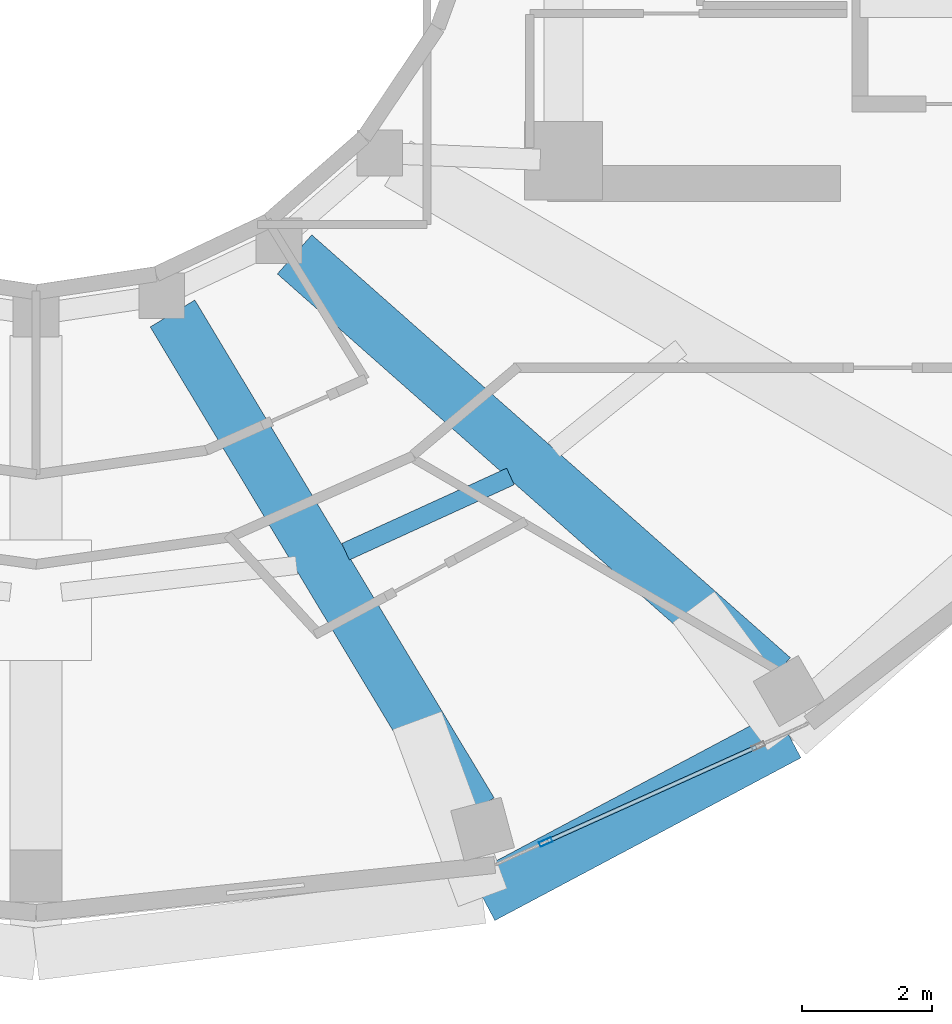
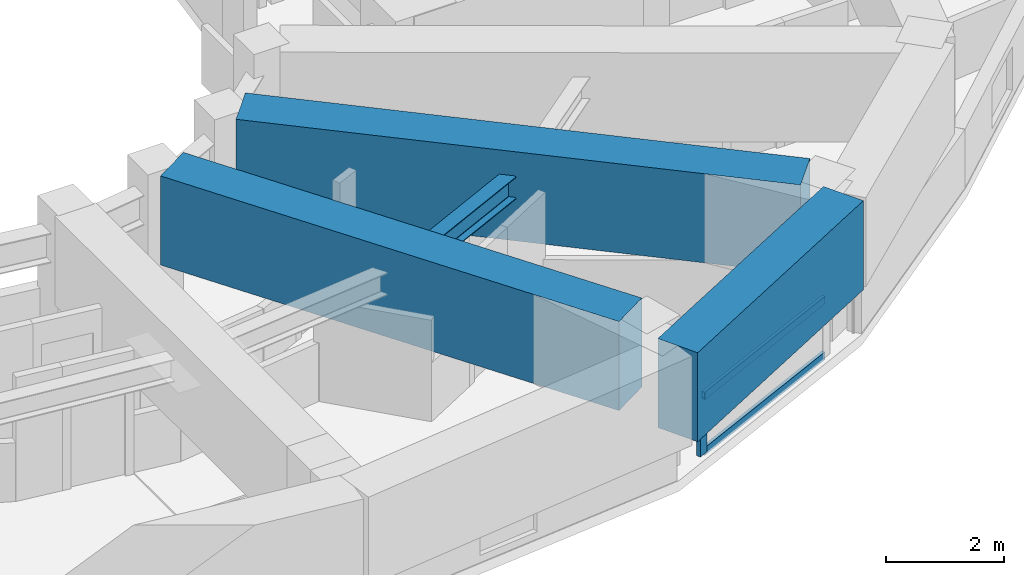
# One storey, part 4 of 20: 4 beams, 3 members, 1 element without a shape of its own.
"""IFC4 building model written with IfcOpenShell, lengths in metres."""

from ifc_helpers import new_model, si_unit, direction, frame, origin, origin_2d, place, context, subcontext, project, spatial, rectangle, hollow_rectangle, i_section, extrude, material, layer, layer_set, material_profile, profile_set, type_object, element, aggregate, save


model = new_model("IFC4")

# Units and contexts
model_context = context("Model", 3, precision=1e-05, world=origin(), true_north=direction((0.0, 1.0)))
body_context = subcontext(model_context, "Body", "Model", "MODEL_VIEW")
ifc_project = project(units=[si_unit("LENGTHUNIT", "METRE"), si_unit("AREAUNIT", "SQUARE_METRE"), si_unit("VOLUMEUNIT", "CUBIC_METRE"), si_unit("PLANEANGLEUNIT", "RADIAN"), si_unit("MASSUNIT", "GRAM", prefix="KILO")], contexts=[model_context])

# Site, building, storey
site_placement = place(None, origin())
site = spatial("IfcSite", under=ifc_project, at=site_placement, CompositionType="ELEMENT")
building_placement = place(site_placement, origin())
building = spatial("IfcBuilding", under=site, at=building_placement, Name="Solvane Sanctuary Tower", CompositionType="ELEMENT")
storey_placement = place(building_placement, frame((0.0, 0.0, 217.10009765625)))
storey = spatial("IfcBuildingStorey", under=building, at=storey_placement, Name="L66", CompositionType="ELEMENT", Elevation=217.10009765625)

# Beams
ifc_material_1 = material(Name="Steel ASTM A992 Grade 50", Category="steel")
ifc_material_profile_1 = material_profile(ifc_material_1, i_section(OverallWidth=0.280029296875, OverallDepth=0.462890625, WebThickness=0.0107421875, FlangeThickness=0.017333984375, FilletRadius=0.013916015625, at=origin_2d()), Name="W18X76")
ifc_profile_set_1 = profile_set([ifc_material_profile_1], Name="Steel ASTM A992 Grade 50")
beam_type_1 = type_object("IfcBeamType", Name="Beam B-SEC-JOIST W18X76", PredefinedType="JOIST", material=ifc_profile_set_1)
beam_1_placement = place(storey_placement, frame((36.752685546875, 10.897216796875, 2.366455078125), z_axis=(0.909749265658, 0.415158130879, 0.0), x_axis=(-0.415158130879, 0.909749265658, 0.0)))
element("IfcBeam", 1, at=beam_1_placement, inside=storey, type_object=beam_type_1, Name="L66 Secondary Circumferential Joist 12-13", PredefinedType="JOIST", context=body_context, shape_type="SweptSolid", body=[
    extrude(i_section(OverallWidth=0.280029296875, OverallDepth=0.462890625, WebThickness=0.0107421875, FlangeThickness=0.017333984375, FilletRadius=0.013916015625, at=origin_2d()), origin(), (0.0, 0.0, 1.0), 2.781494140625),
])
ifc_material_2 = material(Name="Concrete C70/85", Category="concrete")
ifc_material_profile_2 = material_profile(ifc_material_2, rectangle(XDim=0.800048828125, YDim=1.85009765625, at=origin_2d()), Name="RC800X1850")
ifc_profile_set_2 = profile_set([ifc_material_profile_2], Name="Concrete C70/85")
beam_type_2 = type_object("IfcBeamType", Name="Beam B-XFER-BLK RC800X1850", PredefinedType="BEAM", material=ifc_profile_set_2)
beam_2_placement = place(storey_placement, frame((34.095703125, 14.55419921875, 2.1748046875), z_axis=(0.515336980031, -0.856987629439, 0.0), x_axis=(0.856987629439, 0.515336980031, 0.0)))
element("IfcBeam", 2, at=beam_2_placement, inside=storey, type_object=beam_type_2, Name="L66 Block-Shift Radial Transfer Girder 12A", PredefinedType="BEAM", context=body_context, shape_type="SweptSolid", body=[
    extrude(rectangle(XDim=0.800048828125, YDim=1.85009765625, at=origin_2d()), origin(), (0.0, 0.0, 1.0), 8.91748046875),
])
beam_3_placement = place(storey_placement, frame((35.9697265625, 15.46142578125, 2.1748046875), z_axis=(0.749347766597, -0.662176656713, 0.0), x_axis=(0.662176656713, 0.749347766597, 0.0)))
element("IfcBeam", 3, at=beam_3_placement, inside=storey, type_object=beam_type_2, Name="L66 Block-Shift Radial Transfer Girder 13A", PredefinedType="BEAM", context=body_context, shape_type="SweptSolid", body=[
    extrude(rectangle(XDim=0.800048828125, YDim=1.85009765625, at=origin_2d()), origin(), (0.0, 0.0, 1.0), 9.802490234375),
])
beam_4_placement = place(storey_placement, frame((38.856201171875, 5.588623046875, 2.1748046875), z_axis=(0.883020065947, 0.469335235343, 0.0), x_axis=(-0.469335235343, 0.883020065947, 0.0)))
element("IfcBeam", 4, at=beam_4_placement, inside=storey, type_object=beam_type_2, Name="L66 Perimeter Step Transfer Ring NTC12-NTC13", PredefinedType="BEAM", context=body_context, shape_type="SweptSolid", body=[
    extrude(rectangle(XDim=0.800048828125, YDim=1.85009765625, at=origin_2d()), origin(), (0.0, 0.0, 1.0), 5.321533203125),
])

# Curtain wall, members
ifc_material_3 = material(Name="Anodised Aluminium 6063-T6", Category="aluminium")
ifc_layer = layer(ifc_material_3, 0.18994140625, Name="Anodised Aluminium 6063-T6")
ifc_layer_set = layer_set([ifc_layer], Name="Anodised Aluminium 6063-T6")
curtain_wall_type = type_object("IfcCurtainWallType", Name="Curtain Wall CW-OPER", PredefinedType="NOTDEFINED", material=ifc_layer_set)
curtain_wall_placement = place(storey_placement, origin())
curtain_wall = element("IfcCurtainWall", 5, at=curtain_wall_placement, inside=storey, type_object=curtain_wall_type, Name="L66 CW-OPER Facade Run 19", PredefinedType="NOTDEFINED")
ifc_material_profile_3 = material_profile(ifc_material_3, hollow_rectangle(XDim=0.074951171875, YDim=0.199951171875, WallThickness=0.00390625, at=origin_2d()), Name="ALU200X75X4")
ifc_profile_set_3 = profile_set([ifc_material_profile_3], Name="Anodised Aluminium 6063-T6")
member_type_1 = type_object("IfcMemberType", Name="Member M-CW-MUL-1 ALU200X75X4", PredefinedType="MULLION", material=ifc_profile_set_3)
member_1_placement = place(storey_placement, frame((39.824462890625, 6.44091796875, 0.0), z_axis=(0.0, 0.0, 1.0), x_axis=(-0.411470931711, 0.911422883385, 0.0)))
member_1 = element("IfcMember", 6, at=member_1_placement, type_object=member_type_1, Name="CW-OPER mullion 1", PredefinedType="MULLION", context=body_context, shape_type="SweptSolid", body=[
    extrude(hollow_rectangle(XDim=0.074951171875, YDim=0.199951171875, WallThickness=0.00390625, at=origin_2d()), origin(), (0.0, 0.0, 1.0), 1.219970703125),
])
ifc_material_profile_4 = material_profile(ifc_material_3, hollow_rectangle(XDim=0.06494140625, YDim=0.159912109375, WallThickness=0.00341796875, at=origin_2d()), Name="ALU160X65X3.5")
ifc_profile_set_4 = profile_set([ifc_material_profile_4], Name="Anodised Aluminium 6063-T6")
member_type_2 = type_object("IfcMemberType", Name="Member M-CW-TRN-1 ALU160X65X3.5", PredefinedType="USERDEFINED", material=ifc_profile_set_4)
member_2_placement = place(storey_placement, frame((39.858642578125, 6.45654296875, 0.032470703125), z_axis=(0.911438831618, 0.411435603975, 0.0), x_axis=(-0.411435603975, 0.911438831618, 0.0)))
member_2 = element("IfcMember", 7, at=member_2_placement, type_object=member_type_2, Name="CW-OPER transom 1.1", ObjectType="TRANSOM", PredefinedType="USERDEFINED", context=body_context, shape_type="SweptSolid", body=[
    extrude(hollow_rectangle(XDim=0.06494140625, YDim=0.159912109375, WallThickness=0.00341796875, at=origin_2d()), origin(), (0.0, 0.0, 1.0), 3.50634765625),
])
member_3_placement = place(storey_placement, frame((39.858642578125, 6.45654296875, 1.1875), z_axis=(0.911438831618, 0.411435603975, 0.0), x_axis=(-0.411435603975, 0.911438831618, 0.0)))
member_3 = element("IfcMember", 8, at=member_3_placement, type_object=member_type_2, Name="CW-OPER transom 1.2", ObjectType="TRANSOM", PredefinedType="USERDEFINED", context=body_context, shape_type="SweptSolid", body=[
    extrude(hollow_rectangle(XDim=0.06494140625, YDim=0.159912109375, WallThickness=0.00341796875, at=origin_2d()), origin(), (0.0, 0.0, 1.0), 3.50634765625),
])
aggregate(curtain_wall, [member_1, member_2, member_3])

save(model, "model.ifc")
